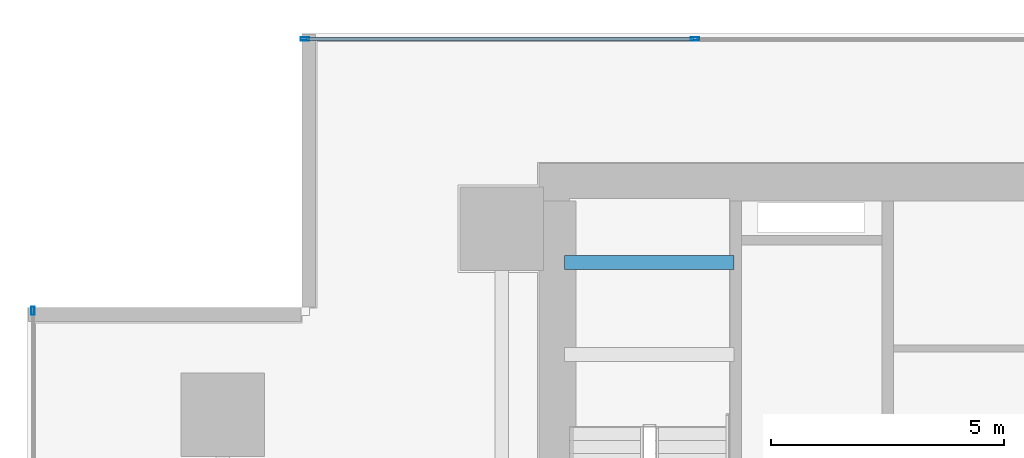
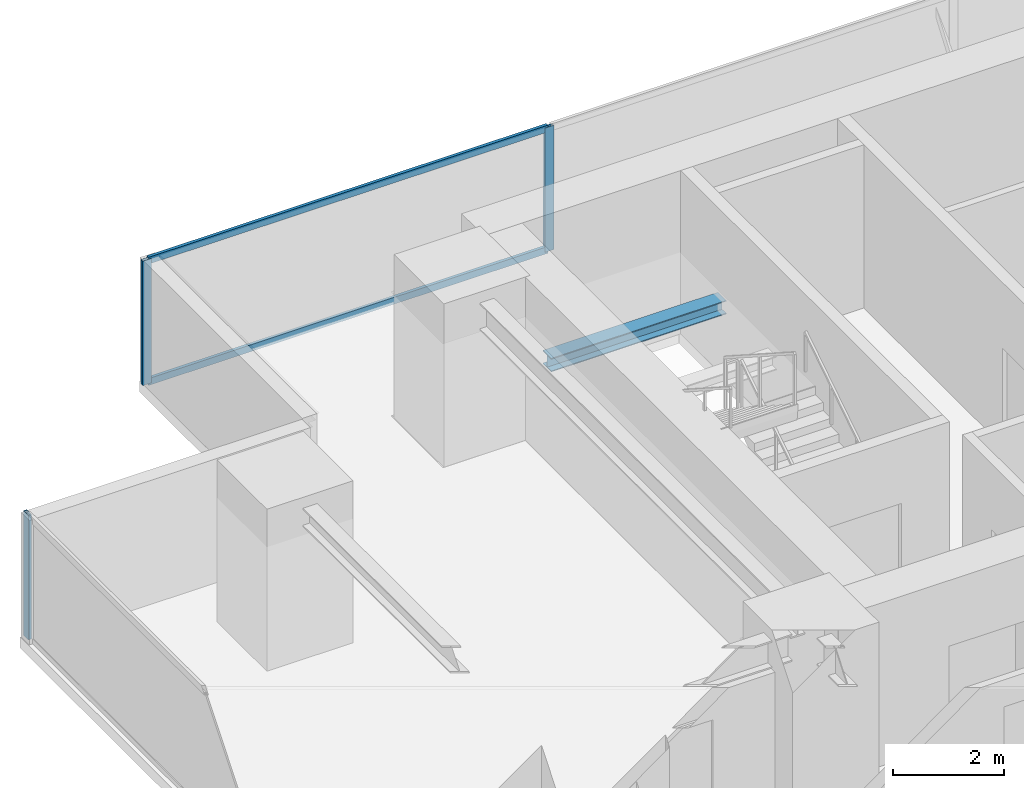
# One storey, part 17 of 32: 5 members, 1 beam, 2 elements without a shape of their own.
"""IFC4 building model written with IfcOpenShell, lengths in metres."""

from ifc_helpers import new_model, si_unit, direction, frame, origin, origin_2d, place, context, subcontext, project, spatial, hollow_rectangle, i_section, extrude, source, transform, mapped, material, layer, layer_set, material_profile, profile_set, type_object, element, aggregate, save


model = new_model("IFC4")

# Units and contexts
model_context = context("Model", 3, precision=1e-05, world=origin(), true_north=direction((0.0, 1.0)))
body_context = subcontext(model_context, "Body", "Model", "MODEL_VIEW")
ifc_project = project(units=[si_unit("LENGTHUNIT", "METRE"), si_unit("AREAUNIT", "SQUARE_METRE"), si_unit("VOLUMEUNIT", "CUBIC_METRE"), si_unit("PLANEANGLEUNIT", "RADIAN"), si_unit("MASSUNIT", "GRAM", prefix="KILO")], contexts=[model_context])

# Site, building, storey
site_placement = place(None, origin())
site = spatial("IfcSite", under=ifc_project, at=site_placement, CompositionType="ELEMENT")
building_placement = place(site_placement, origin())
building = spatial("IfcBuilding", under=site, at=building_placement, Name="Sumidabori Civic Tower", CompositionType="ELEMENT")
storey_placement = place(building_placement, frame((0.0, 0.0, 52.39990234375)))
storey = spatial("IfcBuildingStorey", under=building, at=storey_placement, Name="L13", CompositionType="ELEMENT", Elevation=52.39990234375)

# Beam
ifc_material_1 = material(Name="Steel SN490", Category="steel")
ifc_material_profile_1 = material_profile(ifc_material_1, i_section(OverallWidth=0.300048828125, OverallDepth=0.300048828125, WebThickness=0.010986328125, FlangeThickness=0.01904296875, at=origin_2d()), Name="HE 300 B")
ifc_profile_set_1 = profile_set([ifc_material_profile_1], Name="Steel SN490")
beam_type = type_object("IfcBeamType", Name="BM-LDG-300", PredefinedType="BEAM", material=ifc_profile_set_1)
shared_shape_1 = source(origin(), body_context, "Body", "SweptSolid", [
    extrude(i_section(OverallWidth=0.300048828125, OverallDepth=0.300048828125, WebThickness=0.010986328125, FlangeThickness=0.01904296875, at=origin_2d()), origin(), (0.0, 0.0, 1.0), 3.64990234375),
])
beam_placement = place(storey_placement, frame((-15.449951171875, 22.069580078125, 1.4501953125), z_axis=(1.0, 0.0, 0.0), x_axis=(0.0, 1.0, 0.0)))
element("IfcBeam", 1, at=beam_placement, inside=storey, type_object=beam_type, Name="Stair ST-1 Landing Trimmer Beam L13-1B", PredefinedType="BEAM", context=body_context, shape_type="MappedRepresentation", body=[
    mapped(shared_shape_1, transform((0.0, 0.0, 0.0), x_axis=(1.0, 0.0, 0.0), y_axis=(0.0, 1.0, 0.0), z_axis=(0.0, 0.0, 1.0), scale=1.0)),
])

# Curtain wall, members
ifc_material_2 = material(Name="Anodised Bronze Aluminium AW-6063-T6", Category="aluminium")
ifc_layer = layer(ifc_material_2, 0.179931640625, Name="Anodised Bronze Aluminium AW-6063-T6")
ifc_layer_set = layer_set([ifc_layer], Name="Anodised Bronze Aluminium AW-6063-T6")
curtain_wall_type = type_object("IfcCurtainWallType", Name="CW-SYS-2", PredefinedType="NOTDEFINED", material=ifc_layer_set)
curtain_wall_1_placement = place(storey_placement, origin())
curtain_wall_1 = element("IfcCurtainWall", 2, at=curtain_wall_1_placement, inside=storey, type_object=curtain_wall_type, Name="Curtain Wall CW:L13:R07", PredefinedType="NOTDEFINED")
ifc_material_profile_2 = material_profile(ifc_material_2, hollow_rectangle(XDim=0.070068359375, YDim=0.179931640625, WallThickness=0.006103515625, at=origin_2d()), Name="ALU MULLION 180x70")
ifc_profile_set_2 = profile_set([ifc_material_profile_2], Name="Anodised Bronze Aluminium AW-6063-T6")
member_type_1 = type_object("IfcMemberType", Name="CW-MUL-180", PredefinedType="MULLION", material=ifc_profile_set_2)
shared_shape_2 = source(origin(), body_context, "Body", "SweptSolid", [
    extrude(hollow_rectangle(XDim=0.070068359375, YDim=0.179931640625, WallThickness=0.006103515625, at=origin_2d()), origin(), (0.0, 0.0, 1.0), 2.739990234375),
])
member_1_placement = place(storey_placement, frame((-12.64208984375, 26.8798828125, 0.0), z_axis=(0.0, 0.0, 1.0), x_axis=(0.0, -1.0, 0.0)))
member_1 = element("IfcMember", 3, at=member_1_placement, type_object=member_type_1, Name="CW-2 mullion 5", PredefinedType="MULLION", context=body_context, shape_type="MappedRepresentation", body=[
    mapped(shared_shape_2, transform((0.0, 0.0, 0.0), x_axis=(1.0, 0.0, 0.0), y_axis=(0.0, 1.0, 0.0), z_axis=(0.0, 0.0, 1.0), scale=1.0)),
])
member_2_placement = place(storey_placement, frame((-21.034912109375, 26.8798828125, 0.0), z_axis=(0.0, 0.0, 1.0), x_axis=(0.0, -1.0, 0.0)))
member_2 = element("IfcMember", 4, at=member_2_placement, type_object=member_type_1, Name="CW-2 mullion 6", PredefinedType="MULLION", context=body_context, shape_type="MappedRepresentation", body=[
    mapped(shared_shape_2, transform((0.0, 0.0, 0.0), x_axis=(1.0, 0.0, 0.0), y_axis=(0.0, 1.0, 0.0), z_axis=(0.0, 0.0, 1.0), scale=1.0)),
])

# Curtain wall, member
curtain_wall_2_placement = place(storey_placement, origin())
curtain_wall_2 = element("IfcCurtainWall", 5, at=curtain_wall_2_placement, inside=storey, type_object=curtain_wall_type, Name="Curtain Wall CW:L13:R10", PredefinedType="NOTDEFINED")
member_3_placement = place(storey_placement, frame((-26.8798828125, 21.034912109375, 0.0), z_axis=(0.0, 0.0, 1.0), x_axis=(1.0, 0.0, 0.0)))
member_3 = element("IfcMember", 6, at=member_3_placement, type_object=member_type_1, Name="CW-2 mullion 1", PredefinedType="MULLION", context=body_context, shape_type="MappedRepresentation", body=[
    mapped(shared_shape_2, transform((0.0, 0.0, 0.0), x_axis=(1.0, 0.0, 0.0), y_axis=(0.0, 1.0, 0.0), z_axis=(0.0, 0.0, 1.0), scale=1.0)),
])
aggregate(curtain_wall_2, [member_3])

# Member
ifc_material_profile_3 = material_profile(ifc_material_2, hollow_rectangle(XDim=0.06494140625, YDim=0.14990234375, WallThickness=0.0048828125, at=origin_2d()), Name="ALU TRANSOM 150x65")
ifc_profile_set_3 = profile_set([ifc_material_profile_3], Name="Anodised Bronze Aluminium AW-6063-T6")
member_type_2 = type_object("IfcMemberType", Name="CW-TRN-150", PredefinedType="USERDEFINED", material=ifc_profile_set_3)
shared_shape_3 = source(origin(), body_context, "Body", "SweptSolid", [
    extrude(hollow_rectangle(XDim=0.06494140625, YDim=0.14990234375, WallThickness=0.0048828125, at=origin_2d()), origin(), (0.0, 0.0, 1.0), 8.322998046875),
])
member_4_placement = place(storey_placement, frame((-12.677001953125, 26.8798828125, 0.03271484375), z_axis=(-1.0, 0.0, 0.0), x_axis=(0.0, -1.0, 0.0)))
member_4 = element("IfcMember", 7, at=member_4_placement, type_object=member_type_2, Name="CW-2 transom 5.1", ObjectType="TRANSOM", PredefinedType="USERDEFINED", context=body_context, shape_type="MappedRepresentation", body=[
    mapped(shared_shape_3, transform((0.0, 0.0, 0.0), x_axis=(1.0, 0.0, 0.0), y_axis=(0.0, 1.0, 0.0), z_axis=(0.0, 0.0, 1.0), scale=1.0)),
])

member_5_placement = place(storey_placement, frame((-12.677001953125, 26.8798828125, 2.70751953125), z_axis=(-1.0, 0.0, 0.0), x_axis=(0.0, -1.0, 0.0)))
member_5 = element("IfcMember", 8, at=member_5_placement, type_object=member_type_2, Name="CW-2 transom 5.2", ObjectType="TRANSOM", PredefinedType="USERDEFINED", context=body_context, shape_type="MappedRepresentation", body=[
    mapped(shared_shape_3, transform((0.0, 0.0, 0.0), x_axis=(1.0, 0.0, 0.0), y_axis=(0.0, 1.0, 0.0), z_axis=(0.0, 0.0, 1.0), scale=1.0)),
])

aggregate(curtain_wall_1, [member_1, member_2, member_4, member_5])

save(model, "model.ifc")
